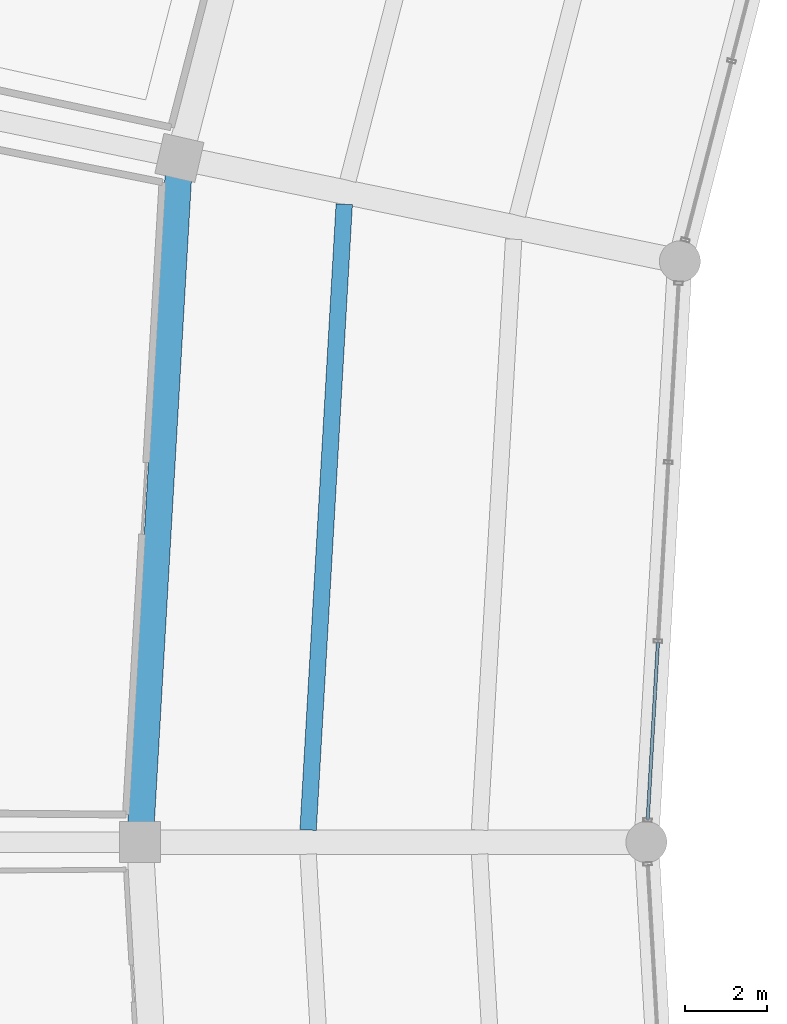
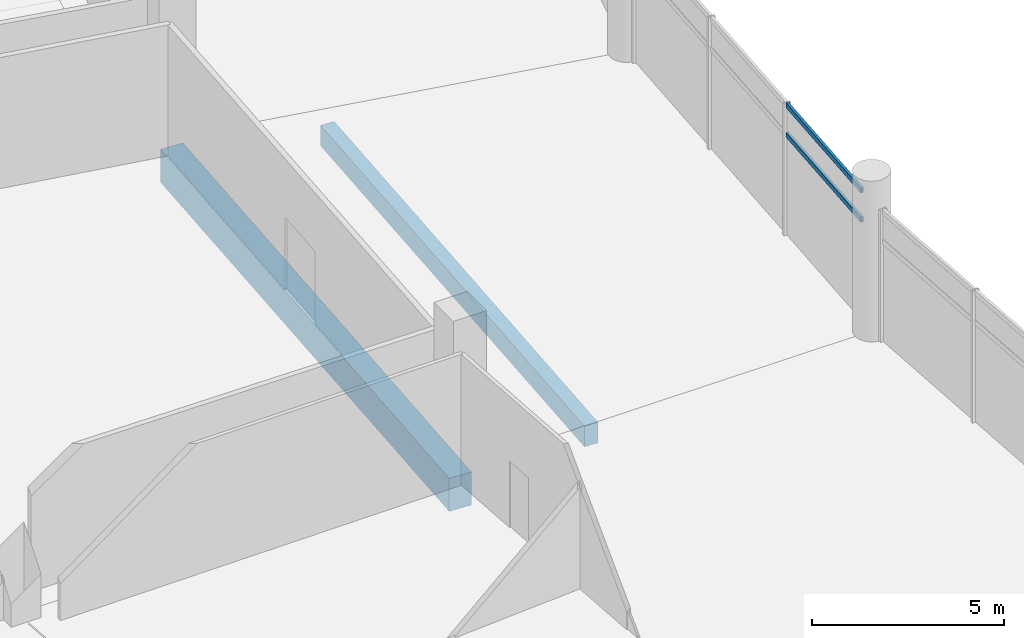
# One storey, part 41 of 184: 2 beams, 2 members, 1 element without a shape of its own.
"""IFC4 building model written with IfcOpenShell, lengths in metres."""

from ifc_helpers import new_model, si_unit, direction, frame, origin, origin_2d, place, context, subcontext, project, spatial, rectangle, hollow_rectangle, extrude, material, layer, layer_set, material_profile, profile_set, type_object, element, aggregate, save


model = new_model("IFC4")

# Units and contexts
model_context = context("Model", 3, precision=1e-05, world=origin(), true_north=direction((0.0, 1.0)))
body_context = subcontext(model_context, "Body", "Model", "MODEL_VIEW")
ifc_project = project(units=[si_unit("LENGTHUNIT", "METRE"), si_unit("AREAUNIT", "SQUARE_METRE"), si_unit("VOLUMEUNIT", "CUBIC_METRE"), si_unit("PLANEANGLEUNIT", "RADIAN"), si_unit("MASSUNIT", "GRAM", prefix="KILO")], contexts=[model_context])

# Site, building, storey
site_placement = place(None, origin())
site = spatial("IfcSite", under=ifc_project, at=site_placement, CompositionType="ELEMENT")
building_placement = place(site_placement, origin())
building = spatial("IfcBuilding", under=site, at=building_placement, Name="Kazemori Nagisa Stadium", CompositionType="ELEMENT")
storey_placement = place(building_placement, frame((0.0, 0.0, 10.5400390625)))
storey = spatial("IfcBuildingStorey", under=building, at=storey_placement, Name="L02", CompositionType="ELEMENT", Elevation=10.5400390625)

# Beams
ifc_material_1 = material(Name="Concrete C40/50 (Fc42)", Category="concrete")
ifc_material_profile_1 = material_profile(ifc_material_1, rectangle(XDim=0.64990234375, YDim=1.050048828125, at=origin_2d()), Name="RC-BM-650x1050")
ifc_profile_set_1 = profile_set([ifc_material_profile_1], Name="Concrete C40/50 (Fc42)")
beam_type_1 = type_object("IfcBeamType", Name="Beam_BG-RC650X1050", PredefinedType="BEAM", material=ifc_profile_set_1)
beam_1_placement = place(storey_placement, frame((42.262451171875, 118.68212890625, -0.78515625), z_axis=(-0.057594854854, -0.998340038611, 0.0), x_axis=(0.998340038611, -0.057594854854, 0.0)))
element("IfcBeam", 1, at=beam_1_placement, inside=storey, type_object=beam_type_1, Name="Ring girder BG-RC650X1050 L02 R2-14", PredefinedType="BEAM", context=body_context, shape_type="SweptSolid", body=[
    extrude(rectangle(XDim=0.64990234375, YDim=1.050048828125, at=origin_2d()), origin(), (0.0, 0.0, 1.0), 16.7099609375),
])
ifc_material_profile_2 = material_profile(ifc_material_1, rectangle(XDim=0.39990234375, YDim=0.64990234375, at=origin_2d()), Name="RC-BM-400x650")
ifc_profile_set_2 = profile_set([ifc_material_profile_2], Name="Concrete C40/50 (Fc42)")
beam_type_2 = type_object("IfcBeamType", Name="Beam_BJ-RC400X650", PredefinedType="JOIST", material=ifc_profile_set_2)
beam_2_placement = place(storey_placement, frame((46.282470703125, 117.553466796875, -0.5849609375), z_axis=(-0.057599290514, -0.998339782705, 0.0), x_axis=(0.998339782705, -0.057599290514, 0.0)))
element("IfcBeam", 2, at=beam_2_placement, inside=storey, type_object=beam_type_2, Name="Concourse joist BJ-RC400X650 L02 B14-2", PredefinedType="JOIST", context=body_context, shape_type="SweptSolid", body=[
    extrude(rectangle(XDim=0.39990234375, YDim=0.64990234375, at=origin_2d()), origin(), (0.0, 0.0, 1.0), 15.284423828125),
])

# Curtain wall, members
ifc_material_2 = material(Name="Anodised aluminium 6063-T5", Category="aluminium")
ifc_layer = layer(ifc_material_2, 0.2099609375, Name="Anodised aluminium 6063-T5", Category="aluminium")
ifc_layer_set = layer_set([ifc_layer], Name="Anodised aluminium 6063-T5")
curtain_wall_type = type_object("IfcCurtainWallType", Name="CW_L02B_66", PredefinedType="USERDEFINED", material=ifc_layer_set)
curtain_wall_placement = place(storey_placement, origin())
curtain_wall = element("IfcCurtainWall", 3, at=curtain_wall_placement, inside=storey, type_object=curtain_wall_type, Name="Unitised curtain wall CW-L02B-66 L02", ObjectType="UNITISED CURTAIN WALL", PredefinedType="USERDEFINED")
ifc_material_3 = material(Name="Aluminium 6063-T5 anodised", Category="aluminium")
ifc_material_profile_3 = material_profile(ifc_material_3, hollow_rectangle(XDim=0.080078125, YDim=0.159912109375, WallThickness=0.00390625, at=origin_2d()), Name="ALU-TRAN-80x160x4")
ifc_profile_set_3 = profile_set([ifc_material_profile_3], Name="Aluminium 6063-T5 anodised")
member_type = type_object("IfcMemberType", Name="Transom_T02", PredefinedType="USERDEFINED", material=ifc_profile_set_3)
member_1_placement = place(storey_placement, frame((53.931396484375, 106.878173828125, 3.184326171875), z_axis=(-0.057608419603, -0.99833925596, 0.0), x_axis=(0.99833925596, -0.057608419603, 0.0)))
member_1 = element("IfcMember", 4, at=member_1_placement, type_object=member_type, Name="Curtain wall transom CW-L02B-66-T3-mid", ObjectType="TRANSOM", PredefinedType="USERDEFINED", context=body_context, shape_type="SweptSolid", body=[
    extrude(hollow_rectangle(XDim=0.080078125, YDim=0.159912109375, WallThickness=0.00390625, at=origin_2d()), origin(), (0.0, 0.0, 1.0), 4.3310546875),
])
member_2_placement = place(storey_placement, frame((53.931396484375, 106.878173828125, 4.119873046875), z_axis=(-0.057608419603, -0.99833925596, 0.0), x_axis=(0.99833925596, -0.057608419603, 0.0)))
member_2 = element("IfcMember", 5, at=member_2_placement, type_object=member_type, Name="Curtain wall transom CW-L02B-66-T3-head", ObjectType="TRANSOM", PredefinedType="USERDEFINED", context=body_context, shape_type="SweptSolid", body=[
    extrude(hollow_rectangle(XDim=0.080078125, YDim=0.159912109375, WallThickness=0.00390625, at=origin_2d()), origin(), (0.0, 0.0, 1.0), 4.3310546875),
])
aggregate(curtain_wall, [member_1, member_2])

save(model, "model.ifc")
